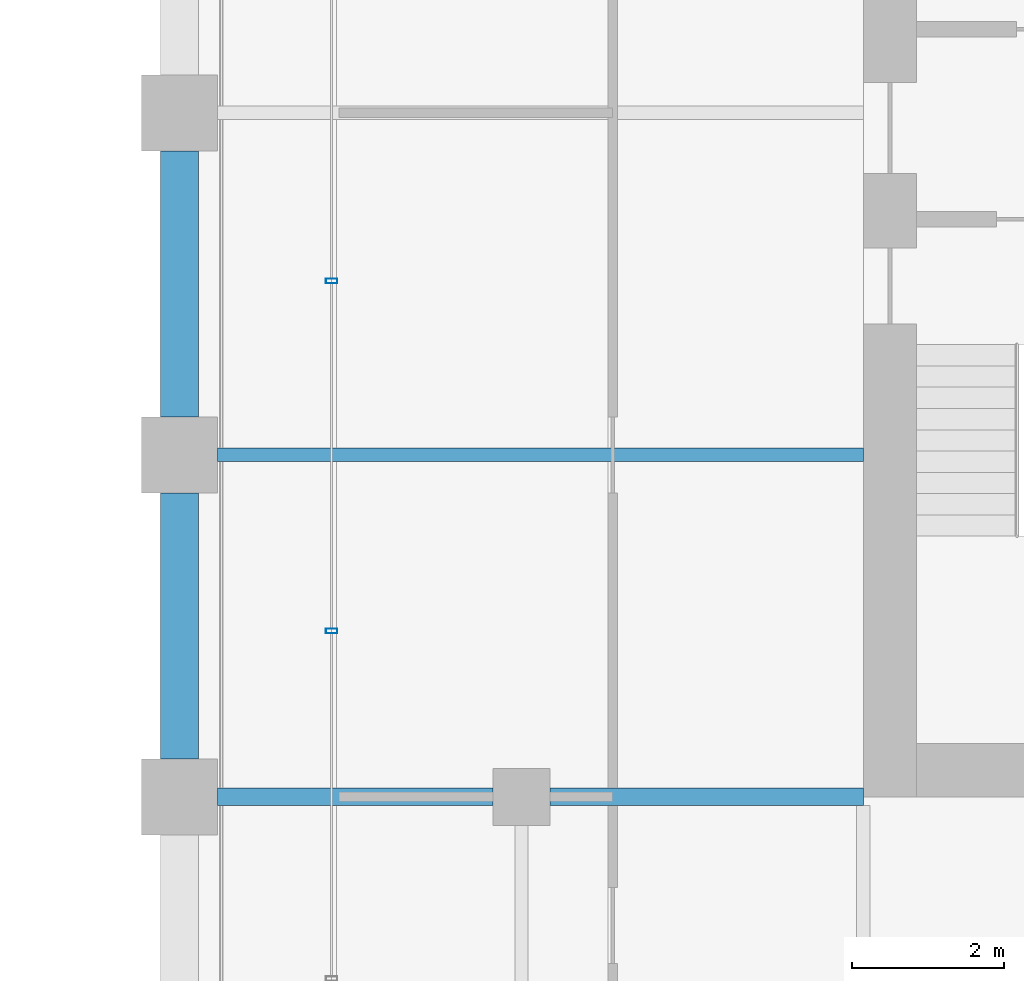
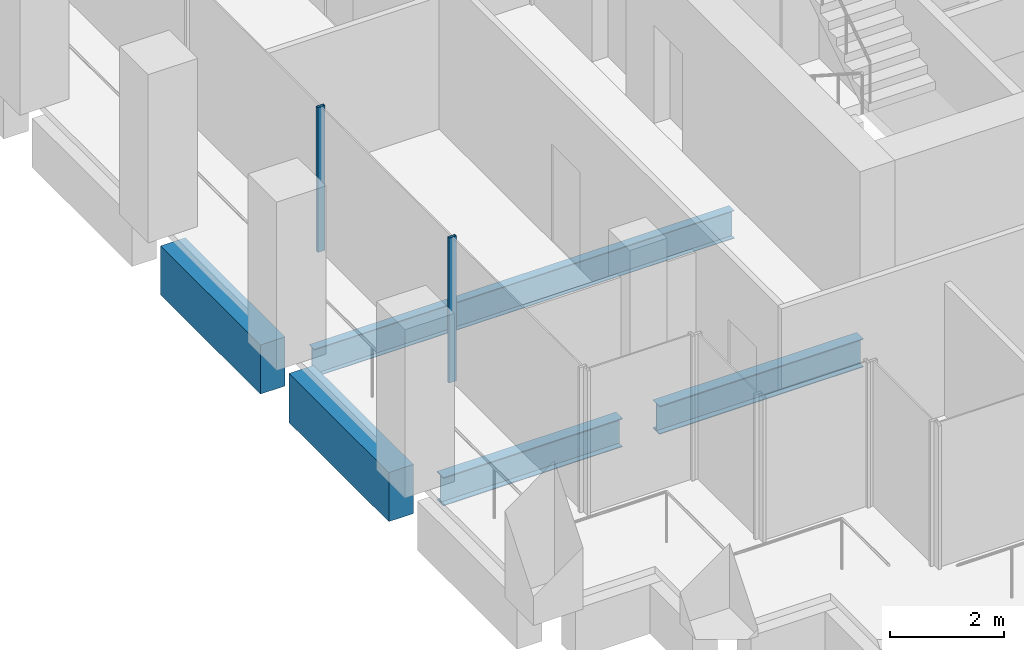
# One storey, part 30 of 46: 5 beams, 2 members, 1 element without a shape of its own.
"""IFC4 building model written with IfcOpenShell, lengths in metres."""

from ifc_helpers import new_model, si_unit, direction, frame, origin, origin_2d, place, context, subcontext, project, spatial, rectangle, hollow_rectangle, i_section, extrude, material, material_profile, profile_set, type_object, element, aggregate, save


model = new_model("IFC4")

# Units and contexts
model_context = context("Model", 3, precision=1e-05, world=origin(), true_north=direction((0.0, 1.0)))
body_context = subcontext(model_context, "Body", "Model", "MODEL_VIEW")
ifc_project = project(units=[si_unit("LENGTHUNIT", "METRE"), si_unit("AREAUNIT", "SQUARE_METRE"), si_unit("VOLUMEUNIT", "CUBIC_METRE"), si_unit("PLANEANGLEUNIT", "RADIAN"), si_unit("MASSUNIT", "GRAM", prefix="KILO")], contexts=[model_context])

# Site, building, storey
site_placement = place(None, origin())
site = spatial("IfcSite", under=ifc_project, at=site_placement, CompositionType="ELEMENT")
building_placement = place(site_placement, origin())
building = spatial("IfcBuilding", under=site, at=building_placement, Name="Altepetl Exchange Towers", CompositionType="ELEMENT")
storey_placement = place(building_placement, frame((0.0, 0.0, 120.800048828125)))
storey = spatial("IfcBuildingStorey", under=building, at=storey_placement, Name="L29", CompositionType="ELEMENT", Elevation=120.800048828125)

# Beams
ifc_material_1 = material(Name="Steel S355", Category="steel")
ifc_material_profile_1 = material_profile(ifc_material_1, i_section(OverallWidth=0.177978515625, OverallDepth=0.59912109375, WebThickness=0.010009765625, FlangeThickness=0.0126953125, at=origin_2d()), Name="W24X55")
ifc_profile_set_1 = profile_set([ifc_material_profile_1], Name="Steel S355")
beam_type_1 = type_object("IfcBeamType", Name="Floor beam W24X55", PredefinedType="BEAM", material=ifc_profile_set_1)
beam_1_placement = place(storey_placement, frame((95.0, 40.5, -0.449462890625), z_axis=(1.0, 0.0, 0.0), x_axis=(0.0, 1.0, 0.0)))
element("IfcBeam", 1, at=beam_1_placement, inside=storey, type_object=beam_type_1, Name="bm:B:L29:008", PredefinedType="BEAM", context=body_context, shape_type="SweptSolid", body=[
    extrude(i_section(OverallWidth=0.177978515625, OverallDepth=0.59912109375, WebThickness=0.010009765625, FlangeThickness=0.0126953125, at=origin_2d()), origin(), (0.0, 0.0, 1.0), 8.5),
])
ifc_material_profile_2 = material_profile(ifc_material_1, i_section(OverallWidth=0.22802734375, OverallDepth=0.60791015625, WebThickness=0.01123046875, FlangeThickness=0.017333984375, at=origin_2d()), Name="W24X76")
ifc_profile_set_2 = profile_set([ifc_material_profile_2], Name="Steel S355")
beam_type_2 = type_object("IfcBeamType", Name="Girder W24X76", PredefinedType="BEAM", material=ifc_profile_set_2)
beam_2_placement = place(storey_placement, frame((103.5, 36.0, -0.4541015625), z_axis=(-1.0, 0.0, 0.0), x_axis=(0.0, -1.0, 0.0)))
element("IfcBeam", 2, at=beam_2_placement, inside=storey, type_object=beam_type_2, Name="gd:B:L29:002", PredefinedType="BEAM", context=body_context, shape_type="SweptSolid", body=[
    extrude(i_section(OverallWidth=0.22802734375, OverallDepth=0.60791015625, WebThickness=0.01123046875, FlangeThickness=0.017333984375, at=origin_2d()), origin(), (0.0, 0.0, 1.0), 4.125),
])
beam_3_placement = place(storey_placement, frame((98.625, 36.0, -0.4541015625), z_axis=(-1.0, 0.0, 0.0), x_axis=(0.0, -1.0, 0.0)))
element("IfcBeam", 3, at=beam_3_placement, inside=storey, type_object=beam_type_2, Name="gd:B:L29:003", PredefinedType="BEAM", context=body_context, shape_type="SweptSolid", body=[
    extrude(i_section(OverallWidth=0.22802734375, OverallDepth=0.60791015625, WebThickness=0.01123046875, FlangeThickness=0.017333984375, at=origin_2d()), origin(), (0.0, 0.0, 1.0), 3.625),
])

# Curtain wall, members
ifc_material_2 = material(Name="Aluminium 6063-T6 glazing", Category="aluminium")
curtain_wall_type = type_object("IfcCurtainWallType", Name="Loggia glazing system", PredefinedType="NOTDEFINED", material=ifc_material_2)
curtain_wall_placement = place(storey_placement, origin())
curtain_wall = element("IfcCurtainWall", 4, at=curtain_wall_placement, inside=storey, type_object=curtain_wall_type, Name="CW1 run", PredefinedType="NOTDEFINED")
ifc_material_3 = material(Name="Aluminium 6063-T6", Category="aluminium")
ifc_material_profile_3 = material_profile(ifc_material_3, hollow_rectangle(XDim=0.06005859375, YDim=0.14990234375, WallThickness=0.0029296875, at=origin_2d()), Name="Mullion 60x150 aluminium")
ifc_profile_set_3 = profile_set([ifc_material_profile_3], Name="Aluminium 6063-T6")
member_type = type_object("IfcMemberType", Name="Mullion 60x150 aluminium", PredefinedType="MULLION", material=ifc_profile_set_3)
member_1_placement = place(storey_placement, frame((96.5, 42.78759765625, 0.0), z_axis=(0.0, 0.0, 1.0), x_axis=(0.0, -1.0, 0.0)))
member_1 = element("IfcMember", 5, at=member_1_placement, type_object=member_type, Name="MU1 mullion", PredefinedType="MULLION", context=body_context, shape_type="SweptSolid", body=[
    extrude(hollow_rectangle(XDim=0.06005859375, YDim=0.14990234375, WallThickness=0.0029296875, at=origin_2d()), origin(), (0.0, 0.0, 1.0), 3.099853515625),
])
member_2_placement = place(storey_placement, frame((96.5, 38.18115234375, 0.0), z_axis=(0.0, 0.0, 1.0), x_axis=(0.0, -1.0, 0.0)))
member_2 = element("IfcMember", 6, at=member_2_placement, type_object=member_type, Name="MU1 mullion", PredefinedType="MULLION", context=body_context, shape_type="SweptSolid", body=[
    extrude(hollow_rectangle(XDim=0.06005859375, YDim=0.14990234375, WallThickness=0.0029296875, at=origin_2d()), origin(), (0.0, 0.0, 1.0), 3.099853515625),
])
aggregate(curtain_wall, [member_1, member_2])

# Beams
ifc_material_4 = material(Name="Concrete C50/60 precast with cantera rosa facing", Category="concrete")
ifc_material_profile_4 = material_profile(ifc_material_4, rectangle(XDim=0.5, YDim=1.050048828125, at=origin_2d()), Name="500 x 1050")
ifc_profile_set_4 = profile_set([ifc_material_profile_4], Name="Concrete C50/60 precast with cantera rosa facing")
beam_type_3 = type_object("IfcBeamType", Name="Spandrel beam 500x1050 cantera rosa", PredefinedType="SPANDREL", material=ifc_profile_set_4)
for number, where, z_axis, x_axis, name in (
    (7, (94.5, 44.5, -0.675048828125), (0.0, -1.0, 0.0), (1.0, 0.0, 0.0), "sp:B:L29:024"),
    (8, (94.5, 40.0, -0.675048828125), (0.0, -1.0, 0.0), (1.0, 0.0, 0.0), "sp:B:L29:025"),
):
    element("IfcBeam", number, at=place(storey_placement, frame(where, z_axis=z_axis, x_axis=x_axis)), inside=storey, type_object=beam_type_3, Name=name, PredefinedType="SPANDREL", context=body_context, shape_type="SweptSolid", body=[
        extrude(rectangle(XDim=0.5, YDim=1.050048828125, at=origin_2d()), origin(), (0.0, 0.0, 1.0), 3.5),
    ])

save(model, "model.ifc")
